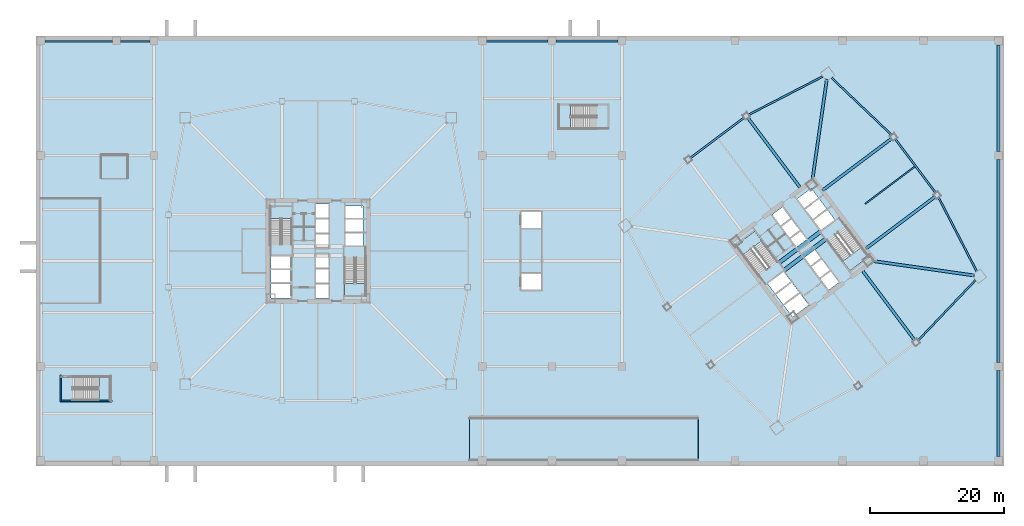
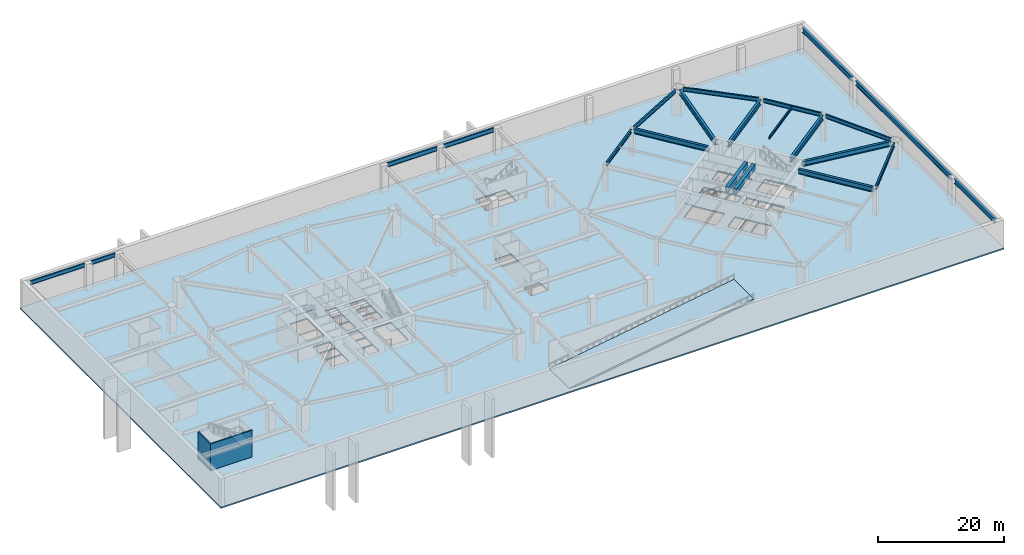
# One storey, part 6 of 17: 22 beams, 8 slabs, 2 walls, 6 elements without a shape of their own.
"""IFC4 building model written with IfcOpenShell, lengths in metres."""

from ifc_helpers import new_model, si_unit, direction, frame, frame_2d, origin, origin_2d, place, context, subcontext, project, spatial, polyline, rectangle, i_section, outline, extrude, material, layer, layer_set, material_profile, profile_set, type_object, element, aggregate, save


model = new_model("IFC4")

# Units and contexts
model_context = context("Model", 3, precision=1e-05, world=origin(), true_north=direction((0.0, 1.0)))
body_context = subcontext(model_context, "Body", "Model", "MODEL_VIEW")
ifc_project = project(units=[si_unit("LENGTHUNIT", "METRE"), si_unit("AREAUNIT", "SQUARE_METRE"), si_unit("VOLUMEUNIT", "CUBIC_METRE"), si_unit("PLANEANGLEUNIT", "RADIAN"), si_unit("MASSUNIT", "GRAM", prefix="KILO")], contexts=[model_context])

# Site, building, storey
site_placement = place(None, origin())
site = spatial("IfcSite", under=ifc_project, at=site_placement, CompositionType="ELEMENT")
building_placement = place(site_placement, origin())
building = spatial("IfcBuilding", under=site, at=building_placement, Name="Tashvorn Skyway Center", CompositionType="ELEMENT")
storey_placement = place(building_placement, frame((0.0, 0.0, -5.5)))
storey = spatial("IfcBuildingStorey", under=building, at=storey_placement, Name="B1", CompositionType="ELEMENT", Elevation=-5.5)

# Beams
ifc_material_1 = material(Name="Steel ASTM A992 Grade 50", Category="steel")
ifc_material_profile_1 = material_profile(ifc_material_1, i_section(OverallWidth=0.26708984375, OverallDepth=0.779052734375, WebThickness=0.0166015625, FlangeThickness=0.030029296875, at=origin_2d()), Name="W30X148")
ifc_profile_set_1 = profile_set([ifc_material_profile_1], Name="Steel ASTM A992 Grade 50")
beam_type_1 = type_object("IfcBeamType", Name="BM-BEAM-W30X148", PredefinedType="BEAM", material=ifc_profile_set_1)
beam_1_placement = place(storey_placement, frame((1.39501953125, 63.199951171875, 4.810546875), z_axis=(1.0, 0.0, 0.0), x_axis=(0.0, 1.0, 0.0)))
element("IfcBeam", 1, at=beam_1_placement, inside=storey, type_object=beam_type_1, Name="B1 West Edge Girder A 09", PredefinedType="BEAM", context=body_context, shape_type="SweptSolid", body=[
    extrude(i_section(OverallWidth=0.26708984375, OverallDepth=0.779052734375, WebThickness=0.0166015625, FlangeThickness=0.030029296875, at=origin_2d()), origin(), (0.0, 0.0, 1.0), 10.010009765625),
])
beam_2_placement = place(storey_placement, frame((12.594970703125, 63.199951171875, 4.810546875), z_axis=(1.0, 0.0, 0.0), x_axis=(0.0, 1.0, 0.0)))
element("IfcBeam", 2, at=beam_2_placement, inside=storey, type_object=beam_type_1, Name="B1 West Edge Girder B 09", PredefinedType="BEAM", context=body_context, shape_type="SweptSolid", body=[
    extrude(i_section(OverallWidth=0.26708984375, OverallDepth=0.779052734375, WebThickness=0.0166015625, FlangeThickness=0.030029296875, at=origin_2d()), origin(), (0.0, 0.0, 1.0), 4.409912109375),
])
ifc_material_profile_2 = material_profile(ifc_material_1, i_section(OverallWidth=0.2919921875, OverallDepth=0.85888671875, WebThickness=0.01708984375, FlangeThickness=0.031005859375, at=origin_2d()), Name="W33X169")
ifc_profile_set_2 = profile_set([ifc_material_profile_2], Name="Steel ASTM A992 Grade 50")
beam_type_2 = type_object("IfcBeamType", Name="BM-BEAM-W33X169", PredefinedType="BEAM", material=ifc_profile_set_2)
for number, where, z_axis, x_axis, name in (
    (3, (66.9951171875, 63.199951171875, 4.7705078125), (1.0, 0.0, 0.0), (0.0, 1.0, 0.0), "B1 Central Podium Girder A 09"),
    (4, (77.39501953125, 63.199951171875, 4.7705078125), (1.0, 0.0, 0.0), (0.0, 1.0, 0.0), "B1 Central Podium Girder B 09"),
):
    element("IfcBeam", number, at=place(storey_placement, frame(where, z_axis=z_axis, x_axis=x_axis)), inside=storey, type_object=beam_type_2, Name=name, PredefinedType="BEAM", context=body_context, shape_type="SweptSolid", body=[
        extrude(i_section(OverallWidth=0.2919921875, OverallDepth=0.85888671875, WebThickness=0.01708984375, FlangeThickness=0.031005859375, at=origin_2d()), origin(), (0.0, 0.0, 1.0), 9.2099609375),
    ])
ifc_material_2 = material(Name="Steel ASTM A913 Grade 65", Category="steel")
ifc_material_profile_3 = material_profile(ifc_material_2, i_section(OverallWidth=0.4189453125, OverallDepth=0.927001953125, WebThickness=0.019287109375, FlangeThickness=0.031982421875, at=origin_2d()), Name="W36X231")
ifc_profile_set_3 = profile_set([ifc_material_profile_3], Name="Steel ASTM A913 Grade 65")
beam_type_3 = type_object("IfcBeamType", Name="BM-BEAM-W36X231", PredefinedType="BEAM", material=ifc_profile_set_3)
for number, where, z_axis, x_axis, name in (
    (5, (139.532958984375, 28.3525390625, 4.736572265625), (-0.989950458816, 0.141414599991, 0.0), (-0.141414599991, -0.989950458816, 0.0), "Tower 2 B1 Primary Floor Girder MC-SE"),
    (6, (117.6474609375, 57.532958984375, 4.736572265625), (-0.141414599991, -0.989950458816, 0.0), (0.989950458816, -0.141414599991, 0.0), "Tower 2 B1 Primary Floor Girder MC-NE"),
):
    element("IfcBeam", number, at=place(storey_placement, frame(where, z_axis=z_axis, x_axis=x_axis)), inside=storey, type_object=beam_type_3, Name=name, PredefinedType="BEAM", context=body_context, shape_type="SweptSolid", body=[
        extrude(i_section(OverallWidth=0.4189453125, OverallDepth=0.927001953125, WebThickness=0.019287109375, FlangeThickness=0.031982421875, at=origin_2d()), origin(), (0.0, 0.0, 1.0), 15.177001953125),
    ])
beam_3_placement = place(storey_placement, frame((130.697998046875, 18.736083984375, 4.736572265625), z_axis=(-0.599996960112, 0.800002279907, 0.0), x_axis=(-0.800002279907, -0.599996960112, 0.0)))
element("IfcBeam", 7, at=beam_3_placement, inside=storey, type_object=beam_type_3, Name="Tower 2 B1 Primary Floor Girder FC-S2", PredefinedType="BEAM", context=body_context, shape_type="SweptSolid", body=[
    extrude(i_section(OverallWidth=0.4189453125, OverallDepth=0.927001953125, WebThickness=0.019287109375, FlangeThickness=0.031982421875, at=origin_2d()), origin(), (0.0, 0.0, 1.0), 12.85009765625),
])
beam_4_placement = place(storey_placement, frame((133.743896484375, 40.05810546875, 4.736572265625), z_axis=(-0.799986320265, -0.600018239213, 0.0), x_axis=(0.600018239213, -0.799986320265, 0.0)))
element("IfcBeam", 8, at=beam_4_placement, inside=storey, type_object=beam_type_3, Name="Tower 2 B1 Primary Floor Girder FC-E1", PredefinedType="BEAM", context=body_context, shape_type="SweptSolid", body=[
    extrude(i_section(OverallWidth=0.4189453125, OverallDepth=0.927001953125, WebThickness=0.019287109375, FlangeThickness=0.031982421875, at=origin_2d()), origin(), (0.0, 0.0, 1.0), 12.849853515625),
])
beam_5_placement = place(storey_placement, frame((127.263916015625, 48.697998046875, 4.736572265625), z_axis=(-0.800002279907, -0.599996960112, 0.0), x_axis=(0.599996960112, -0.800002279907, 0.0)))
element("IfcBeam", 9, at=beam_5_placement, inside=storey, type_object=beam_type_3, Name="Tower 2 B1 Primary Floor Girder FC-E2", PredefinedType="BEAM", context=body_context, shape_type="SweptSolid", body=[
    extrude(i_section(OverallWidth=0.4189453125, OverallDepth=0.927001953125, WebThickness=0.019287109375, FlangeThickness=0.031982421875, at=origin_2d()), origin(), (0.0, 0.0, 1.0), 12.85009765625),
])
beam_6_placement = place(storey_placement, frame((105.94189453125, 51.743896484375, 4.736572265625), z_axis=(0.600018239213, -0.799986320265, 0.0), x_axis=(0.799986320265, 0.600018239213, 0.0)))
element("IfcBeam", 10, at=beam_6_placement, inside=storey, type_object=beam_type_3, Name="Tower 2 B1 Primary Floor Girder FC-N1", PredefinedType="BEAM", context=body_context, shape_type="SweptSolid", body=[
    extrude(i_section(OverallWidth=0.4189453125, OverallDepth=0.927001953125, WebThickness=0.019287109375, FlangeThickness=0.031982421875, at=origin_2d()), origin(), (0.0, 0.0, 1.0), 12.849853515625),
])
beam_7_placement = place(storey_placement, frame((143.199951171875, 1.39501953125, 4.736572265625), z_axis=(0.0, 1.0, 0.0), x_axis=(-1.0, 0.0, 0.0)))
element("IfcBeam", 11, at=beam_7_placement, inside=storey, type_object=beam_type_3, Name="B1 North-South Podium Girder 06-S", PredefinedType="BEAM", context=body_context, shape_type="SweptSolid", body=[
    extrude(i_section(OverallWidth=0.4189453125, OverallDepth=0.927001953125, WebThickness=0.019287109375, FlangeThickness=0.031982421875, at=origin_2d()), origin(), (0.0, 0.0, 1.0), 12.81005859375),
])
beam_8_placement = place(storey_placement, frame((143.199951171875, 15.39501953125, 4.736572265625), z_axis=(0.0, 1.0, 0.0), x_axis=(-1.0, 0.0, 0.0)))
element("IfcBeam", 12, at=beam_8_placement, inside=storey, type_object=beam_type_3, Name="B1 North-South Podium Girder 06-M", PredefinedType="BEAM", context=body_context, shape_type="SweptSolid", body=[
    extrude(i_section(OverallWidth=0.4189453125, OverallDepth=0.927001953125, WebThickness=0.019287109375, FlangeThickness=0.031982421875, at=origin_2d()), origin(), (0.0, 0.0, 1.0), 30.2099609375),
])
beam_9_placement = place(storey_placement, frame((143.199951171875, 46.794921875, 4.736572265625), z_axis=(0.0, 1.0, 0.0), x_axis=(-1.0, 0.0, 0.0)))
element("IfcBeam", 13, at=beam_9_placement, inside=storey, type_object=beam_type_3, Name="B1 North-South Podium Girder 06-N", PredefinedType="BEAM", context=body_context, shape_type="SweptSolid", body=[
    extrude(i_section(OverallWidth=0.4189453125, OverallDepth=0.927001953125, WebThickness=0.019287109375, FlangeThickness=0.031982421875, at=origin_2d()), origin(), (0.0, 0.0, 1.0), 15.81005859375),
])
ifc_material_profile_4 = material_profile(ifc_material_1, i_section(OverallWidth=0.19091796875, OverallDepth=0.4599609375, WebThickness=0.010009765625, FlangeThickness=0.01611328125, at=origin_2d()), Name="W18X55")
ifc_profile_set_4 = profile_set([ifc_material_profile_4], Name="Steel ASTM A992 Grade 50")
beam_type_4 = type_object("IfcBeamType", Name="BM-JOIST-W18X55", PredefinedType="JOIST", material=ifc_profile_set_4)
beam_10_placement = place(storey_placement, frame((123.3359375, 39.001953125, 4.969970703125), z_axis=(0.799990508532, 0.600012655082, 0.0), x_axis=(-0.600012655082, 0.799990508532, 0.0)))
element("IfcBeam", 14, at=beam_10_placement, inside=storey, type_object=beam_type_4, Name="Tower 2 B1 Secondary Composite Joist JE", PredefinedType="JOIST", context=body_context, shape_type="SweptSolid", body=[
    extrude(i_section(OverallWidth=0.19091796875, OverallDepth=0.4599609375, WebThickness=0.010009765625, FlangeThickness=0.01611328125, at=origin_2d()), origin(), (0.0, 0.0, 1.0), 9.260009765625),
])
ifc_material_3 = material(Name="Concrete C60/75", Category="concrete")
ifc_material_profile_5 = material_profile(ifc_material_3, rectangle(XDim=0.60009765625, YDim=0.949951171875, at=origin_2d()), Name="RCB600x950")
ifc_profile_set_5 = profile_set([ifc_material_profile_5], Name="Concrete C60/75")
beam_type_5 = type_object("IfcBeamType", Name="BM-LINTEL-RCB600x950", PredefinedType="LINTEL", material=ifc_profile_set_5)
for number, where, z_axis, x_axis, name in (
    (15, (110.552001953125, 30.263916015625, 4.72509765625), (0.8, 0.6, 0.0), (-0.6, 0.8, 0.0), "Tower 2 B1 Core Coupling Beam CN"),
    (16, (111.367919921875, 29.176025390625, 4.72509765625), (0.8, 0.6, 0.0), (-0.6, 0.8, 0.0), "Tower 2 B1 Core Coupling Beam CS"),
):
    element("IfcBeam", number, at=place(storey_placement, frame(where, z_axis=z_axis, x_axis=x_axis)), inside=storey, type_object=beam_type_5, Name=name, PredefinedType="LINTEL", context=body_context, shape_type="SweptSolid", body=[
        extrude(rectangle(XDim=0.60009765625, YDim=0.949951171875, at=origin_2d()), origin(), (0.0, 0.0, 1.0), 7.60009765625),
    ])
ifc_material_profile_6 = material_profile(ifc_material_1, i_section(OverallWidth=0.256103515625, OverallDepth=0.693115234375, WebThickness=0.014404296875, FlangeThickness=0.023681640625, at=origin_2d()), Name="W27X114")
ifc_profile_set_6 = profile_set([ifc_material_profile_6], Name="Steel ASTM A992 Grade 50")
beam_type_6 = type_object("IfcBeamType", Name="BM-SPANDREL-W27X114", PredefinedType="SPANDREL", material=ifc_profile_set_6)
for number, where, z_axis, x_axis, name in (
    (17, (131.23974609375, 18.7041015625, 4.853515625), (0.689589637236, 0.724200339835, 0.0), (-0.724200339835, 0.689589637236, 0.0), "Tower 2 B1 Spandrel Beam 03"),
    (18, (139.954833984375, 28.9462890625, 4.853515625), (-0.459233413919, 0.888315637339, 0.0), (-0.888315637339, -0.459233413919, 0.0), "Tower 2 B1 Spandrel Beam 04"),
):
    element("IfcBeam", number, at=place(storey_placement, frame(where, z_axis=z_axis, x_axis=x_axis)), inside=storey, type_object=beam_type_6, Name=name, PredefinedType="SPANDREL", context=body_context, shape_type="SweptSolid", body=[
        extrude(i_section(OverallWidth=0.256103515625, OverallDepth=0.693115234375, WebThickness=0.014404296875, FlangeThickness=0.023681640625, at=origin_2d()), origin(), (0.0, 0.0, 1.0), 12.37255859375),
    ])
beam_11_placement = place(storey_placement, frame((133.827880859375, 40.64599609375, 4.853515625), z_axis=(-0.599988234018, 0.800008824351, 0.0), x_axis=(-0.800008824351, -0.599988234018, 0.0)))
element("IfcBeam", 19, at=beam_11_placement, inside=storey, type_object=beam_type_6, Name="Tower 2 B1 Spandrel Beam 05", PredefinedType="SPANDREL", context=body_context, shape_type="SweptSolid", body=[
    extrude(i_section(OverallWidth=0.256103515625, OverallDepth=0.693115234375, WebThickness=0.014404296875, FlangeThickness=0.023681640625, at=origin_2d()), origin(), (0.0, 0.0, 1.0), 9.9599609375),
])
for number, where, z_axis, x_axis, name in (
    (20, (127.2958984375, 49.23974609375, 4.853515625), (-0.724200339835, 0.689589637236, 0.0), (-0.689589637236, -0.724200339835, 0.0), "Tower 2 B1 Spandrel Beam 06"),
    (21, (117.0537109375, 57.954833984375, 4.853515625), (-0.888315637339, -0.459233413919, 0.0), (0.459233413919, -0.888315637339, 0.0), "Tower 2 B1 Spandrel Beam 07"),
):
    element("IfcBeam", number, at=place(storey_placement, frame(where, z_axis=z_axis, x_axis=x_axis)), inside=storey, type_object=beam_type_6, Name=name, PredefinedType="SPANDREL", context=body_context, shape_type="SweptSolid", body=[
        extrude(i_section(OverallWidth=0.256103515625, OverallDepth=0.693115234375, WebThickness=0.014404296875, FlangeThickness=0.023681640625, at=origin_2d()), origin(), (0.0, 0.0, 1.0), 12.37255859375),
    ])
beam_12_placement = place(storey_placement, frame((105.35400390625, 51.827880859375, 4.853515625), z_axis=(-0.800008824351, -0.599988234018, 0.0), x_axis=(0.599988234018, -0.800008824351, 0.0)))
element("IfcBeam", 22, at=beam_12_placement, inside=storey, type_object=beam_type_6, Name="Tower 2 B1 Spandrel Beam 08", PredefinedType="SPANDREL", context=body_context, shape_type="SweptSolid", body=[
    extrude(i_section(OverallWidth=0.256103515625, OverallDepth=0.693115234375, WebThickness=0.014404296875, FlangeThickness=0.023681640625, at=origin_2d()), origin(), (0.0, 0.0, 1.0), 9.9599609375),
])

# Slab
ifc_material_4 = material(Name="Concrete C40/50", Category="concrete")
ifc_layer_1 = layer(ifc_material_4, 0.260009765625)
ifc_layer_set_1 = layer_set([ifc_layer_1], Name="Concrete C40/50")
slab_type_1 = type_object("IfcSlabType", Name="SLAB-FLR-260", PredefinedType="FLOOR", material=ifc_layer_set_1)
slab_1_placement = place(storey_placement, frame((0.0, 0.0, -0.260009765625)))
element("IfcSlab", 23, at=slab_1_placement, inside=storey, type_object=slab_type_1, Name="B1 Podium Composite Structural Floor Slab", PredefinedType="FLOOR", context=body_context, shape_type="SweptSolid", body=[
    extrude(outline(polyline([(0.0, 0.0), (144.0, 0.0), (144.0, 64.0), (0.0, 64.0), (0.0, 0.0)]), holes=[polyline([(38.10009765625, 33.080078125), (38.10009765625, 38.60009765625), (34.89990234375, 38.60009765625), (34.89990234375, 33.080078125), (38.10009765625, 33.080078125)]), polyline([(45.89990234375, 30.919921875), (45.89990234375, 25.39990234375), (49.10009765625, 25.39990234375), (49.10009765625, 30.919921875), (45.89990234375, 30.919921875)]), polyline([(110.23193359375, 30.52392578125), (106.919921875, 34.93994140625), (104.135986328125, 32.85205078125), (107.447998046875, 28.43603515625), (110.23193359375, 30.52392578125)]), polyline([(117.76806640625, 33.47607421875), (121.080078125, 29.06005859375), (123.864013671875, 31.14794921875), (120.552001953125, 35.56396484375), (117.76806640625, 33.47607421875)]), polyline([(5.610107421875, 9.800048828125), (11.10009765625, 9.800048828125), (11.10009765625, 13.300048828125), (5.610107421875, 13.300048828125), (5.610107421875, 9.800048828125)]), polyline([(83.2900390625, 53.699951171875), (77.800048828125, 53.699951171875), (77.800048828125, 50.199951171875), (83.2900390625, 50.199951171875), (83.2900390625, 53.699951171875)]), polyline([(34.949951171875, 29.35009765625), (37.949951171875, 29.35009765625), (37.949951171875, 31.199951171875), (34.949951171875, 31.199951171875), (34.949951171875, 29.35009765625)]), polyline([(34.949951171875, 27.35009765625), (37.949951171875, 27.35009765625), (37.949951171875, 29.199951171875), (34.949951171875, 29.199951171875), (34.949951171875, 27.35009765625)]), polyline([(34.949951171875, 25.0), (37.949951171875, 25.0), (37.949951171875, 27.14990234375), (34.949951171875, 27.14990234375), (34.949951171875, 25.0)]), polyline([(41.64990234375, 25.0), (43.550048828125, 25.0), (43.550048828125, 27.050048828125), (41.64990234375, 27.050048828125), (41.64990234375, 25.0)]), polyline([(41.64990234375, 27.25), (43.550048828125, 27.25), (43.550048828125, 29.300048828125), (41.64990234375, 29.300048828125), (41.64990234375, 27.25)]), polyline([(41.64990234375, 29.5), (43.550048828125, 29.5), (43.550048828125, 31.550048828125), (41.64990234375, 31.550048828125), (41.64990234375, 29.5)]), polyline([(41.64990234375, 32.449951171875), (43.550048828125, 32.449951171875), (43.550048828125, 34.5), (41.64990234375, 34.5), (41.64990234375, 32.449951171875)]), polyline([(41.64990234375, 34.699951171875), (43.550048828125, 34.699951171875), (43.550048828125, 36.75), (41.64990234375, 36.75), (41.64990234375, 34.699951171875)]), polyline([(41.64990234375, 36.949951171875), (43.550048828125, 36.949951171875), (43.550048828125, 39.0), (41.64990234375, 39.0), (41.64990234375, 36.949951171875)]), polyline([(46.050048828125, 32.800048828125), (48.64990234375, 32.800048828125), (48.64990234375, 34.64990234375), (46.050048828125, 34.64990234375), (46.050048828125, 32.800048828125)]), polyline([(46.050048828125, 34.85009765625), (48.64990234375, 34.85009765625), (48.64990234375, 36.699951171875), (46.050048828125, 36.699951171875), (46.050048828125, 34.85009765625)]), polyline([(46.050048828125, 36.89990234375), (48.64990234375, 36.89990234375), (48.64990234375, 38.64990234375), (46.050048828125, 38.64990234375), (46.050048828125, 36.89990234375)]), polyline([(109.949951171875, 25.64990234375), (112.35009765625, 27.449951171875), (111.239990234375, 28.929931640625), (108.840087890625, 27.1298828125), (109.949951171875, 25.64990234375)]), polyline([(111.14990234375, 24.050048828125), (113.550048828125, 25.85009765625), (112.43994140625, 27.330078125), (110.0400390625, 25.530029296875), (111.14990234375, 24.050048828125)]), polyline([(112.56005859375, 22.169921875), (114.9599609375, 23.969970703125), (113.669921875, 25.68994140625), (111.27001953125, 23.889892578125), (112.56005859375, 22.169921875)]), polyline([(117.919921875, 26.18994140625), (119.43994140625, 27.330078125), (118.2099609375, 28.969970703125), (116.68994140625, 27.830078125), (117.919921875, 26.18994140625)]), polyline([(116.570068359375, 27.989990234375), (118.090087890625, 29.1298828125), (116.860107421875, 30.77001953125), (115.340087890625, 29.6298828125), (116.570068359375, 27.989990234375)]), polyline([(115.219970703125, 29.7900390625), (116.739990234375, 30.929931640625), (115.510009765625, 32.570068359375), (113.989990234375, 31.429931640625), (115.219970703125, 29.7900390625)]), polyline([(113.449951171875, 32.14990234375), (114.969970703125, 33.2900390625), (113.739990234375, 34.929931640625), (112.219970703125, 33.7900390625), (113.449951171875, 32.14990234375)]), polyline([(112.10009765625, 33.949951171875), (113.6201171875, 35.090087890625), (112.389892578125, 36.72998046875), (110.8701171875, 35.590087890625), (112.10009765625, 33.949951171875)]), polyline([(110.75, 35.75), (112.27001953125, 36.889892578125), (111.0400390625, 38.530029296875), (109.52001953125, 37.389892578125), (110.75, 35.75)]), polyline([(116.760009765625, 35.070068359375), (118.840087890625, 36.6298828125), (117.72998046875, 38.110107421875), (115.64990234375, 36.550048828125), (116.760009765625, 35.070068359375)]), polyline([(115.530029296875, 36.7099609375), (117.610107421875, 38.27001953125), (116.5, 39.75), (114.419921875, 38.18994140625), (115.530029296875, 36.7099609375)]), polyline([(114.300048828125, 38.35009765625), (116.3798828125, 39.909912109375), (115.330078125, 41.31005859375), (113.25, 39.75), (114.300048828125, 38.35009765625)]), polyline([(72.199951171875, 26.199951171875), (75.199951171875, 26.199951171875), (75.199951171875, 28.60009765625), (72.199951171875, 28.60009765625), (72.199951171875, 26.199951171875)]), polyline([(72.199951171875, 35.39990234375), (75.199951171875, 35.39990234375), (75.199951171875, 37.800048828125), (72.199951171875, 37.800048828125), (72.199951171875, 35.39990234375)])]), origin(), (0.0, 0.0, 1.0), 0.260009765625),
])

# Stair, slab
stair_type_1 = type_object("IfcStairType", Name="STAIR-CORE-1500", PredefinedType="HALF_TURN_STAIR", material=ifc_material_4)
stair_1_placement = place(storey_placement, origin())
stair_1 = element("IfcStair", 24, at=stair_1_placement, inside=storey, type_object=stair_type_1, Name="B1 Tower 1 Exit Stair 1", PredefinedType="HALF_TURN_STAIR")
ifc_layer_2 = layer(ifc_material_4, 0.199951171875)
ifc_layer_set_2 = layer_set([ifc_layer_2], Name="Concrete C40/50")
slab_type_2 = type_object("IfcSlabType", Name="SLAB-LAND-200", PredefinedType="LANDING", material=ifc_layer_set_2)
slab_2_placement = place(storey_placement, frame((0.0, 0.0, 2.550048828125)))
slab_2 = element("IfcSlab", 25, at=slab_2_placement, type_object=slab_type_2, Name="ST-T1-1 landing 1", PredefinedType="LANDING", context=body_context, shape_type="SweptSolid", body=[
    extrude(outline(polyline([(38.10009765625, 36.840087890625), (38.10009765625, 38.60009765625), (34.89990234375, 38.60009765625), (34.89990234375, 36.840087890625), (38.10009765625, 36.840087890625)])), origin(), (0.0, 0.0, 1.0), 0.199951171875),
])
aggregate(stair_1, [slab_2])

stair_2_placement = place(storey_placement, origin())
stair_2 = element("IfcStair", 26, at=stair_2_placement, inside=storey, type_object=stair_type_1, Name="B1 Tower 1 Exit Stair 2", PredefinedType="HALF_TURN_STAIR")
slab_3_placement = place(storey_placement, frame((0.0, 0.0, 2.550048828125)))
slab_3 = element("IfcSlab", 27, at=slab_3_placement, type_object=slab_type_2, Name="ST-T1-2 landing 1", PredefinedType="LANDING", context=body_context, shape_type="SweptSolid", body=[
    extrude(outline(polyline([(45.89990234375, 27.159912109375), (45.89990234375, 25.39990234375), (49.10009765625, 25.39990234375), (49.10009765625, 27.159912109375), (45.89990234375, 27.159912109375)])), origin(), (0.0, 0.0, 1.0), 0.199951171875),
])
aggregate(stair_2, [slab_3])

stair_3_placement = place(storey_placement, origin())
stair_3 = element("IfcStair", 28, at=stair_3_placement, inside=storey, type_object=stair_type_1, Name="B1 Tower 2 Exit Stair 1", PredefinedType="HALF_TURN_STAIR")
slab_4_placement = place(storey_placement, frame((0.0, 0.0, 2.550048828125)))
slab_4 = element("IfcSlab", 29, at=slab_4_placement, type_object=slab_type_2, Name="ST-T2-1 landing 1", PredefinedType="LANDING", context=body_context, shape_type="SweptSolid", body=[
    extrude(outline(polyline([(107.980712890625, 33.525634765625), (106.919921875, 34.93994140625), (104.135986328125, 32.85205078125), (105.19677734375, 31.4375), (107.980712890625, 33.525634765625)])), origin(), (0.0, 0.0, 1.0), 0.199951171875),
])
aggregate(stair_3, [slab_4])

stair_4_placement = place(storey_placement, origin())
stair_4 = element("IfcStair", 30, at=stair_4_placement, inside=storey, type_object=stair_type_1, Name="B1 Tower 2 Exit Stair 2", PredefinedType="HALF_TURN_STAIR")
slab_5_placement = place(storey_placement, frame((0.0, 0.0, 2.550048828125)))
slab_5 = element("IfcSlab", 31, at=slab_5_placement, type_object=slab_type_2, Name="ST-T2-2 landing 1", PredefinedType="LANDING", context=body_context, shape_type="SweptSolid", body=[
    extrude(outline(polyline([(120.019287109375, 30.474365234375), (121.080078125, 29.06005859375), (123.864013671875, 31.14794921875), (122.80322265625, 32.5625), (120.019287109375, 30.474365234375)])), origin(), (0.0, 0.0, 1.0), 0.199951171875),
])
aggregate(stair_4, [slab_5])

stair_type_2 = type_object("IfcStairType", Name="STAIR-POD-1650", PredefinedType="HALF_TURN_STAIR", material=ifc_material_4)
stair_5_placement = place(storey_placement, origin())
stair_5 = element("IfcStair", 32, at=stair_5_placement, inside=storey, type_object=stair_type_2, Name="B1 Podium West Exit Stair 1", PredefinedType="HALF_TURN_STAIR")
slab_6_placement = place(storey_placement, frame((0.0, 0.0, 2.550048828125)))
slab_6 = element("IfcSlab", 33, at=slab_6_placement, type_object=slab_type_2, Name="ST-POD-1 landing 1", PredefinedType="LANDING", context=body_context, shape_type="SweptSolid", body=[
    extrude(outline(polyline([(9.3701171875, 9.800048828125), (11.10009765625, 9.800048828125), (11.10009765625, 13.300048828125), (9.3701171875, 13.300048828125), (9.3701171875, 9.800048828125)])), origin(), (0.0, 0.0, 1.0), 0.199951171875),
])
aggregate(stair_5, [slab_6])

stair_6_placement = place(storey_placement, origin())
stair_6 = element("IfcStair", 34, at=stair_6_placement, inside=storey, type_object=stair_type_2, Name="B1 Podium East Exit Stair 2", PredefinedType="HALF_TURN_STAIR")
slab_7_placement = place(storey_placement, frame((0.0, 0.0, 2.550048828125)))
slab_7 = element("IfcSlab", 35, at=slab_7_placement, type_object=slab_type_2, Name="ST-POD-2 landing 1", PredefinedType="LANDING", context=body_context, shape_type="SweptSolid", body=[
    extrude(outline(polyline([(79.530029296875, 53.699951171875), (77.800048828125, 53.699951171875), (77.800048828125, 50.199951171875), (79.530029296875, 50.199951171875), (79.530029296875, 53.699951171875)])), origin(), (0.0, 0.0, 1.0), 0.199951171875),
])
aggregate(stair_6, [slab_7])

# Slab
ifc_layer_3 = layer(ifc_material_4, 0.300048828125)
ifc_layer_set_3 = layer_set([ifc_layer_3], Name="Concrete C40/50")
slab_type_3 = type_object("IfcSlabType", Name="SLAB-RAMP-300", PredefinedType="FLOOR", material=ifc_layer_set_3)
slab_8_placement = place(storey_placement, frame((64.5, 0.85009765625, 0.0), z_axis=(-0.159688843913, 0.0, 0.987167398737), x_axis=(0.987167398737, 0.0, 0.159688843913)))
element("IfcSlab", 36, at=slab_8_placement, inside=storey, type_object=slab_type_3, Name="B1 to L00 Two-Way Car Park Vehicle Ramp Structural Slab VR-B1", PredefinedType="FLOOR", context=body_context, shape_type="SweptSolid", body=[
    extrude(outline(polyline([(0.0, 0.0), (34.44198019858904, 0.0), (34.44198019858904, 6.2998046875), (0.0, 6.2998046875), (0.0, 0.0)])), origin(), (0.0, 0.0, -1.0), 0.300048828125),
])

# Walls
ifc_layer_4 = layer(ifc_material_4, 0.199951171875)
ifc_layer_set_4 = layer_set([ifc_layer_4], Name="Concrete C40/50")
wall_type = type_object("IfcWallType", Name="WALL-STSHF-200", PredefinedType="SHEAR", material=ifc_layer_set_4)
wall_1_placement = place(storey_placement, frame((3.60009765625, 9.699951171875, 0.0), z_axis=(0.0, 0.0, 1.0), x_axis=(1.0, 0.0, 0.0)))
element("IfcWall", 37, at=wall_1_placement, inside=storey, type_object=wall_type, Name="B1 Podium Stair 1 South Wall", PredefinedType="SHEAR", context=body_context, shape_type="SweptSolid", body=[
    extrude(rectangle(XDim=7.699951171875, YDim=0.199951171875, at=frame_2d((3.85009765625, 0.0))), origin(), (0.0, 0.0, 1.0), 5.199951171875),
])
wall_2_placement = place(storey_placement, frame((3.699951171875, 9.60009765625, 0.0), z_axis=(0.0, 0.0, 1.0), x_axis=(0.0, 1.0, 0.0)))
element("IfcWall", 38, at=wall_2_placement, inside=storey, type_object=wall_type, Name="B1 Podium Stair 1 West Wall", PredefinedType="SHEAR", context=body_context, shape_type="SweptSolid", body=[
    extrude(rectangle(XDim=3.89990234375, YDim=0.199951171875, at=frame_2d((1.949951171875, 0.0))), origin(), (0.0, 0.0, 1.0), 5.199951171875),
])

save(model, "model.ifc")
